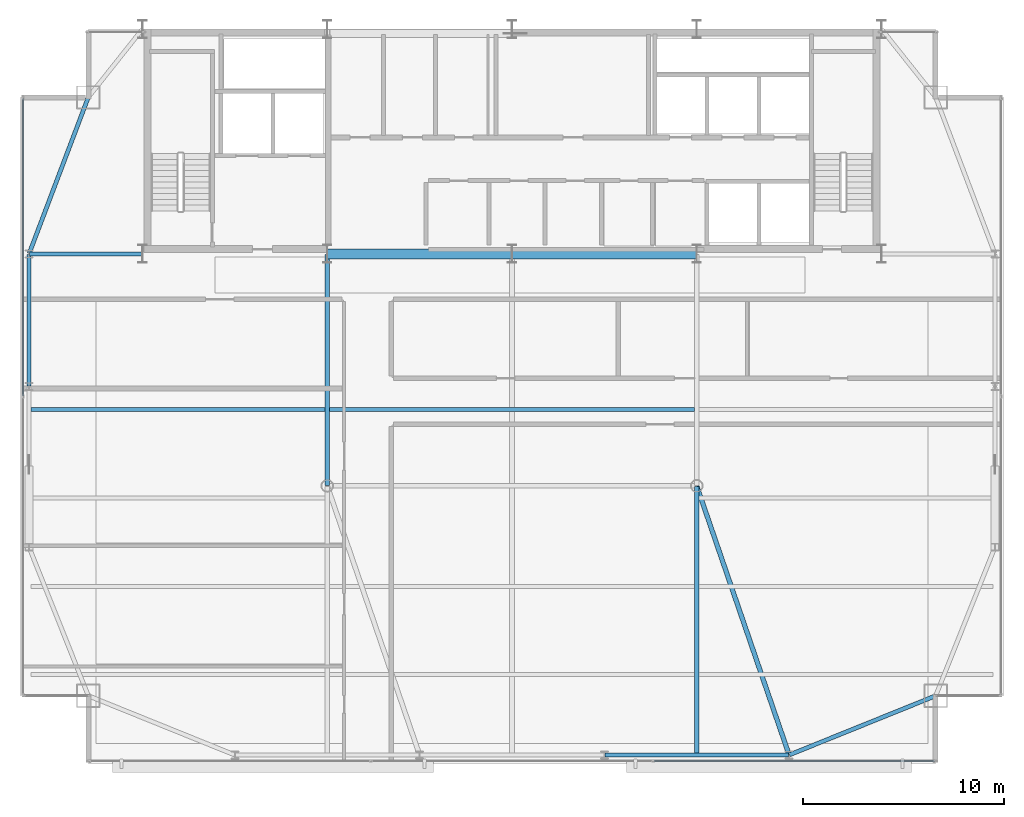
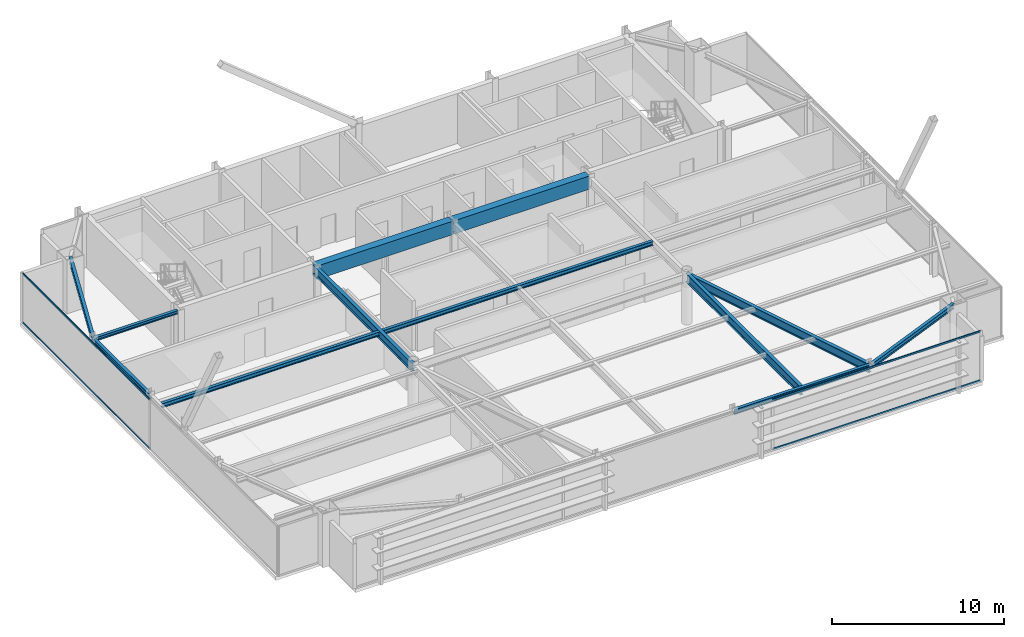
# One storey, part 10 of 26: 12 beams, 4 members, 2 elements without a shape of their own.
"""IFC4 building model written with IfcOpenShell, lengths in metres."""

from ifc_helpers import new_model, si_unit, direction, frame, origin, origin_2d, place, context, subcontext, project, spatial, rectangle, hollow_rectangle, i_section, extrude, source, transform, mapped, material, layer, layer_set, material_profile, profile_set, type_object, type_shapes, element, aggregate, save


model = new_model("IFC4")

# Units and contexts
model_context = context("Model", 3, precision=1e-05, world=origin(), true_north=direction((0.0, 1.0)))
body_context = subcontext(model_context, "Body", "Model", "MODEL_VIEW")
ifc_project = project(units=[si_unit("LENGTHUNIT", "METRE"), si_unit("AREAUNIT", "SQUARE_METRE"), si_unit("VOLUMEUNIT", "CUBIC_METRE"), si_unit("PLANEANGLEUNIT", "RADIAN"), si_unit("MASSUNIT", "GRAM", prefix="KILO")], contexts=[model_context])

# Site, building, storey
site_placement = place(None, origin())
site = spatial("IfcSite", under=ifc_project, at=site_placement, CompositionType="ELEMENT")
building_placement = place(site_placement, origin())
building = spatial("IfcBuilding", under=site, at=building_placement, Name="Varnel Quay Broadcast Tower", CompositionType="ELEMENT")
storey_placement = place(building_placement, frame((0.0, 0.0, 218.800048828125)))
storey = spatial("IfcBuildingStorey", under=building, at=storey_placement, Name="L54", CompositionType="ELEMENT", Elevation=218.800048828125)

# Beams
ifc_material_1 = material(Name="Concrete CSA A23.3 C50/60", Category="concrete")
ifc_material_profile_1 = material_profile(ifc_material_1, rectangle(XDim=0.5, YDim=0.949951171875, at=origin_2d()), Name="RC500X950")
ifc_profile_set_1 = profile_set([ifc_material_profile_1], Name="Concrete CSA A23.3 C50/60")
beam_type_1 = type_object("IfcBeamType", Name="Beam_RC500X950", PredefinedType="BEAM", material=ifc_profile_set_1)
shared_shape_1 = source(origin(), body_context, "Body", "SweptSolid", [
    extrude(rectangle(XDim=0.5, YDim=0.949951171875, at=origin_2d()), origin(), (0.0, 0.0, 1.0), 9.159912109375),
])
type_shapes(beam_type_1, [shared_shape_1])
for number, where, z_axis, x_axis, name in (
    (1, (24.820068359375, 35.60009765625, 3.074951171875), (1.0, 0.0, 0.0), (0.0, 1.0, 0.0), "L54 Core Coupling Beam W"),
    (2, (34.02001953125, 35.60009765625, 3.074951171875), (1.0, 0.0, 0.0), (0.0, 1.0, 0.0), "L54 Core Coupling Beam E"),
):
    element("IfcBeam", number, at=place(storey_placement, frame(where, z_axis=z_axis, x_axis=x_axis)), inside=storey, type_object=beam_type_1, Name=name, PredefinedType="BEAM", context=body_context, shape_type="MappedRepresentation", body=[
        mapped(shared_shape_1, transform((0.0, 0.0, 0.0), x_axis=(1.0, 0.0, 0.0), y_axis=(0.0, 1.0, 0.0), z_axis=(0.0, 0.0, 1.0), scale=1.0)),
    ])
ifc_material_2 = material(Name="Structural Steel CSA G40.21 350W", Category="steel")
ifc_material_profile_2 = material_profile(ifc_material_2, i_section(OverallWidth=0.205078125, OverallDepth=0.35400390625, WebThickness=0.009521484375, FlangeThickness=0.016845703125, FilletRadius=0.012939453125, at=origin_2d()), Name="W360X79")
ifc_profile_set_2 = profile_set([ifc_material_profile_2], Name="Structural Steel CSA G40.21 350W")
beam_type_2 = type_object("IfcBeamType", Name="Beam_W360X79", PredefinedType="SPANDREL", material=ifc_profile_set_2)
shared_shape_2 = source(origin(), body_context, "Body", "SweptSolid", [
    extrude(i_section(OverallWidth=0.205078125, OverallDepth=0.35400390625, WebThickness=0.009521484375, FlangeThickness=0.016845703125, FilletRadius=0.012939453125, at=origin_2d()), origin(), (0.0, 0.0, 1.0), 7.83349609375),
])
beam_1_placement = place(storey_placement, frame((47.818603515625, 10.657470703125, 3.373046875), z_axis=(0.927155449606, 0.374676890489, 0.0), x_axis=(-0.374676890489, 0.927155449606, 0.0)))
element("IfcBeam", 3, at=beam_1_placement, inside=storey, type_object=beam_type_2, Name="L54 South Spandrel TC-S4-MC-SE", PredefinedType="SPANDREL", context=body_context, shape_type="MappedRepresentation", body=[
    mapped(shared_shape_2, transform((0.0, 0.0, 0.0), x_axis=(1.0, 0.0, 0.0), y_axis=(0.0, 1.0, 0.0), z_axis=(0.0, 0.0, 1.0), scale=1.0)),
])
shared_shape_3 = source(origin(), body_context, "Body", "SweptSolid", [
    extrude(i_section(OverallWidth=0.205078125, OverallDepth=0.35400390625, WebThickness=0.009521484375, FlangeThickness=0.016845703125, FilletRadius=0.012939453125, at=origin_2d()), origin(), (0.0, 0.0, 1.0), 9.159912109375),
])
beam_2_placement = place(storey_placement, frame((38.6201171875, 10.64990234375, 3.373046875), z_axis=(1.0, 0.0, 0.0), x_axis=(0.0, 1.0, 0.0)))
element("IfcBeam", 4, at=beam_2_placement, inside=storey, type_object=beam_type_2, Name="L54 South Spandrel TC-S3-TC-S4", PredefinedType="SPANDREL", context=body_context, shape_type="MappedRepresentation", body=[
    mapped(shared_shape_3, transform((0.0, 0.0, 0.0), x_axis=(1.0, 0.0, 0.0), y_axis=(0.0, 1.0, 0.0), z_axis=(0.0, 0.0, 1.0), scale=1.0)),
])
shared_shape_4 = source(origin(), body_context, "Body", "SweptSolid", [
    extrude(i_section(OverallWidth=0.205078125, OverallDepth=0.35400390625, WebThickness=0.009521484375, FlangeThickness=0.016845703125, FilletRadius=0.012939453125, at=origin_2d()), origin(), (0.0, 0.0, 1.0), 6.56005859375),
])
beam_3_placement = place(storey_placement, frame((9.949951171875, 29.02001953125, 3.373046875), z_axis=(0.0, 1.0, 0.0), x_axis=(-1.0, 0.0, 0.0)))
element("IfcBeam", 5, at=beam_3_placement, inside=storey, type_object=beam_type_2, Name="L54 West Spandrel TC-W2-TC-W3", PredefinedType="SPANDREL", context=body_context, shape_type="MappedRepresentation", body=[
    mapped(shared_shape_4, transform((0.0, 0.0, 0.0), x_axis=(1.0, 0.0, 0.0), y_axis=(0.0, 1.0, 0.0), z_axis=(0.0, 0.0, 1.0), scale=1.0)),
])
shared_shape_5 = source(origin(), body_context, "Body", "SweptSolid", [
    extrude(i_section(OverallWidth=0.205078125, OverallDepth=0.35400390625, WebThickness=0.009521484375, FlangeThickness=0.016845703125, FilletRadius=0.012939453125, at=origin_2d()), origin(), (0.0, 0.0, 1.0), 8.29931640625),
])
type_shapes(beam_type_2, [shared_shape_2, shared_shape_3, shared_shape_4, shared_shape_5])
beam_4_placement = place(storey_placement, frame((9.95703125, 35.61865234375, 3.373046875), z_axis=(0.353739782058, 0.935343876117, 0.0), x_axis=(-0.935343876117, 0.353739782058, 0.0)))
element("IfcBeam", 6, at=beam_4_placement, inside=storey, type_object=beam_type_2, Name="L54 West Spandrel TC-W3-MC-NW", PredefinedType="SPANDREL", context=body_context, shape_type="MappedRepresentation", body=[
    mapped(shared_shape_5, transform((0.0, 0.0, 0.0), x_axis=(1.0, 0.0, 0.0), y_axis=(0.0, 1.0, 0.0), z_axis=(0.0, 0.0, 1.0), scale=1.0)),
])
ifc_material_profile_3 = material_profile(ifc_material_2, i_section(OverallWidth=0.22998046875, OverallDepth=0.616943359375, WebThickness=0.01318359375, FlangeThickness=0.022216796875, FilletRadius=0.01611328125, at=origin_2d()), Name="W610X140")
ifc_profile_set_3 = profile_set([ifc_material_profile_3], Name="Structural Steel CSA G40.21 350W")
beam_type_3 = type_object("IfcBeamType", Name="Girder_W610X140", PredefinedType="BEAM", material=ifc_profile_set_3)
shared_shape_6 = source(origin(), body_context, "Body", "SweptSolid", [
    extrude(i_section(OverallWidth=0.22998046875, OverallDepth=0.616943359375, WebThickness=0.01318359375, FlangeThickness=0.022216796875, FilletRadius=0.01611328125, at=origin_2d()), origin(), (0.0, 0.0, 1.0), 14.12744140625),
])
beam_5_placement = place(storey_placement, frame((47.79345703125, 10.6689453125, 3.241455078125), z_axis=(-0.324681288447, 0.945823482967, 0.0), x_axis=(-0.945823482967, -0.324681288447, 0.0)))
element("IfcBeam", 7, at=beam_5_placement, inside=storey, type_object=beam_type_3, Name="L54 Primary Girder TC-S4-IC-02", PredefinedType="BEAM", context=body_context, shape_type="MappedRepresentation", body=[
    mapped(shared_shape_6, transform((0.0, 0.0, 0.0), x_axis=(1.0, 0.0, 0.0), y_axis=(0.0, 1.0, 0.0), z_axis=(0.0, 0.0, 1.0), scale=1.0)),
])
shared_shape_7 = source(origin(), body_context, "Body", "SweptSolid", [
    extrude(i_section(OverallWidth=0.22998046875, OverallDepth=0.616943359375, WebThickness=0.01318359375, FlangeThickness=0.022216796875, FilletRadius=0.01611328125, at=origin_2d()), origin(), (0.0, 0.0, 1.0), 11.510009765625),
])
beam_6_placement = place(storey_placement, frame((24.800048828125, 24.070068359375, 3.241455078125), z_axis=(0.0, 1.0, 0.0), x_axis=(-1.0, 0.0, 0.0)))
element("IfcBeam", 8, at=beam_6_placement, inside=storey, type_object=beam_type_3, Name="L54 Primary Girder IC-01-CC-S2", PredefinedType="BEAM", context=body_context, shape_type="MappedRepresentation", body=[
    mapped(shared_shape_7, transform((0.0, 0.0, 0.0), x_axis=(1.0, 0.0, 0.0), y_axis=(0.0, 1.0, 0.0), z_axis=(0.0, 0.0, 1.0), scale=1.0)),
])
shared_shape_8 = source(origin(), body_context, "Body", "SweptSolid", [
    extrude(i_section(OverallWidth=0.22998046875, OverallDepth=0.616943359375, WebThickness=0.01318359375, FlangeThickness=0.022216796875, FilletRadius=0.01611328125, at=origin_2d()), origin(), (0.0, 0.0, 1.0), 13.360107421875),
])
type_shapes(beam_type_3, [shared_shape_6, shared_shape_7, shared_shape_8])
beam_7_placement = place(storey_placement, frame((43.199951171875, 10.669921875, 3.241455078125), z_axis=(0.0, 1.0, 0.0), x_axis=(-1.0, 0.0, 0.0)))
element("IfcBeam", 9, at=beam_7_placement, inside=storey, type_object=beam_type_3, Name="L54 N-S Joist Header IC-02S", PredefinedType="BEAM", context=body_context, shape_type="MappedRepresentation", body=[
    mapped(shared_shape_8, transform((0.0, 0.0, 0.0), x_axis=(1.0, 0.0, 0.0), y_axis=(0.0, 1.0, 0.0), z_axis=(0.0, 0.0, 1.0), scale=1.0)),
])
ifc_material_profile_4 = material_profile(ifc_material_2, i_section(OverallWidth=0.201904296875, OverallDepth=0.2470703125, WebThickness=0.00732421875, FlangeThickness=0.010986328125, FilletRadius=0.010986328125, at=origin_2d()), Name="W250X49")
ifc_profile_set_4 = profile_set([ifc_material_profile_4], Name="Structural Steel CSA G40.21 350W")
beam_type_4 = type_object("IfcBeamType", Name="Beam_W250X49", PredefinedType="JOIST", material=ifc_profile_set_4)
shared_shape_9 = source(origin(), body_context, "Body", "SweptSolid", [
    extrude(i_section(OverallWidth=0.201904296875, OverallDepth=0.2470703125, WebThickness=0.00732421875, FlangeThickness=0.010986328125, FilletRadius=0.010986328125, at=origin_2d()), origin(), (0.0, 0.0, 1.0), 5.610107421875),
])
type_shapes(beam_type_4, [shared_shape_9])
beam_8_placement = place(storey_placement, frame((9.969970703125, 35.60009765625, 3.426513671875), z_axis=(1.0, 0.0, 0.0), x_axis=(0.0, 1.0, 0.0)))
element("IfcBeam", 10, at=beam_8_placement, inside=storey, type_object=beam_type_4, Name="L54 West Core Tie Joist", PredefinedType="JOIST", context=body_context, shape_type="MappedRepresentation", body=[
    mapped(shared_shape_9, transform((0.0, 0.0, 0.0), x_axis=(1.0, 0.0, 0.0), y_axis=(0.0, 1.0, 0.0), z_axis=(0.0, 0.0, 1.0), scale=1.0)),
])
ifc_material_profile_5 = material_profile(ifc_material_2, i_section(OverallWidth=0.202880859375, OverallDepth=0.302978515625, WebThickness=0.007568359375, FlangeThickness=0.01318359375, FilletRadius=0.011962890625, at=origin_2d()), Name="W310X60")
ifc_profile_set_5 = profile_set([ifc_material_profile_5], Name="Structural Steel CSA G40.21 350W")
beam_type_5 = type_object("IfcBeamType", Name="Beam_W310X60", PredefinedType="JOIST", material=ifc_profile_set_5)
shared_shape_10 = source(origin(), body_context, "Body", "SweptSolid", [
    extrude(i_section(OverallWidth=0.202880859375, OverallDepth=0.302978515625, WebThickness=0.007568359375, FlangeThickness=0.01318359375, FilletRadius=0.011962890625, at=origin_2d()), origin(), (0.0, 0.0, 1.0), 14.642333984375),
])
beam_9_placement = place(storey_placement, frame((10.047607421875, 27.85009765625, 3.3984375), z_axis=(1.0, 0.0, 0.0), x_axis=(0.0, 1.0, 0.0)))
element("IfcBeam", 11, at=beam_9_placement, inside=storey, type_object=beam_type_5, Name="L54 West Floor Joist 4", PredefinedType="JOIST", context=body_context, shape_type="MappedRepresentation", body=[
    mapped(shared_shape_10, transform((0.0, 0.0, 0.0), x_axis=(1.0, 0.0, 0.0), y_axis=(0.0, 1.0, 0.0), z_axis=(0.0, 0.0, 1.0), scale=1.0)),
])
shared_shape_11 = source(origin(), body_context, "Body", "SweptSolid", [
    extrude(i_section(OverallWidth=0.202880859375, OverallDepth=0.302978515625, WebThickness=0.007568359375, FlangeThickness=0.01318359375, FilletRadius=0.011962890625, at=origin_2d()), origin(), (0.0, 0.0, 1.0), 18.18017578125),
])
type_shapes(beam_type_5, [shared_shape_10, shared_shape_11])
beam_10_placement = place(storey_placement, frame((24.909912109375, 27.85009765625, 3.3984375), z_axis=(1.0, 0.0, 0.0), x_axis=(0.0, 1.0, 0.0)))
element("IfcBeam", 12, at=beam_10_placement, inside=storey, type_object=beam_type_5, Name="L54 Central Floor Joist 4", PredefinedType="JOIST", context=body_context, shape_type="MappedRepresentation", body=[
    mapped(shared_shape_11, transform((0.0, 0.0, 0.0), x_axis=(1.0, 0.0, 0.0), y_axis=(0.0, 1.0, 0.0), z_axis=(0.0, 0.0, 1.0), scale=1.0)),
])

# Curtain wall, members
ifc_material_3 = material(Name="Anodised Bronze Aluminium 6063-T6", Category="aluminium")
ifc_layer = layer(ifc_material_3, 0.18994140625, Name="Anodised Bronze Aluminium 6063-T6")
ifc_layer_set = layer_set([ifc_layer], Name="Anodised Bronze Aluminium 6063-T6")
curtain_wall_type = type_object("IfcCurtainWallType", Name="CW_UpperTower", PredefinedType="NOTDEFINED", material=ifc_layer_set)
curtain_wall_1_placement = place(storey_placement, origin())
curtain_wall_1 = element("IfcCurtainWall", 13, at=curtain_wall_1_placement, inside=storey, type_object=curtain_wall_type, Name="L54 West Unitised Curtain Wall", PredefinedType="NOTDEFINED")
ifc_material_profile_6 = material_profile(ifc_material_3, hollow_rectangle(XDim=0.06005859375, YDim=0.125, WallThickness=0.0029296875, at=origin_2d()), Name="ALU60X125X3")
ifc_profile_set_6 = profile_set([ifc_material_profile_6], Name="Anodised Bronze Aluminium 6063-T6")
member_type = type_object("IfcMemberType", Name="Tran_CWS-03", PredefinedType="USERDEFINED", material=ifc_profile_set_6)
shared_shape_12 = source(origin(), body_context, "Body", "SweptSolid", [
    extrude(hollow_rectangle(XDim=0.06005859375, YDim=0.125, WallThickness=0.0029296875, at=origin_2d()), origin(), (0.0, 0.0, 1.0), 14.802490234375),
])
member_1_placement = place(storey_placement, frame((9.64990234375, 28.532470703125, 0.030029296875), z_axis=(0.0, 1.0, 0.0), x_axis=(-1.0, 0.0, 0.0)))
member_1 = element("IfcMember", 14, at=member_1_placement, type_object=member_type, Name="CWS-03 transom 2.1", ObjectType="TRANSOM", PredefinedType="USERDEFINED", context=body_context, shape_type="MappedRepresentation", body=[
    mapped(shared_shape_12, transform((0.0, 0.0, 0.0), x_axis=(1.0, 0.0, 0.0), y_axis=(0.0, 1.0, 0.0), z_axis=(0.0, 0.0, 1.0), scale=1.0)),
])
member_2_placement = place(storey_placement, frame((9.64990234375, 28.532470703125, 3.52001953125), z_axis=(0.0, 1.0, 0.0), x_axis=(-1.0, 0.0, 0.0)))
member_2 = element("IfcMember", 15, at=member_2_placement, type_object=member_type, Name="CWS-03 transom 2.2", ObjectType="TRANSOM", PredefinedType="USERDEFINED", context=body_context, shape_type="MappedRepresentation", body=[
    mapped(shared_shape_12, transform((0.0, 0.0, 0.0), x_axis=(1.0, 0.0, 0.0), y_axis=(0.0, 1.0, 0.0), z_axis=(0.0, 0.0, 1.0), scale=1.0)),
])
aggregate(curtain_wall_1, [member_1, member_2])

curtain_wall_2_placement = place(storey_placement, origin())
curtain_wall_2 = element("IfcCurtainWall", 16, at=curtain_wall_2_placement, inside=storey, type_object=curtain_wall_type, Name="L54 South Unitised Curtain Wall 1", PredefinedType="NOTDEFINED")
shared_shape_13 = source(origin(), body_context, "Body", "SweptSolid", [
    extrude(hollow_rectangle(XDim=0.06005859375, YDim=0.125, WallThickness=0.0029296875, at=origin_2d()), origin(), (0.0, 0.0, 1.0), 13.968994140625),
])
type_shapes(member_type, [shared_shape_12, shared_shape_13])
member_3_placement = place(storey_placement, frame((41.06591796875, 10.35009765625, 0.030029296875), z_axis=(1.0, 0.0, 0.0), x_axis=(0.0, 1.0, 0.0)))
member_3 = element("IfcMember", 17, at=member_3_placement, type_object=member_type, Name="CWS-03 transom 3.1", ObjectType="TRANSOM", PredefinedType="USERDEFINED", context=body_context, shape_type="MappedRepresentation", body=[
    mapped(shared_shape_13, transform((0.0, 0.0, 0.0), x_axis=(1.0, 0.0, 0.0), y_axis=(0.0, 1.0, 0.0), z_axis=(0.0, 0.0, 1.0), scale=1.0)),
])
member_4_placement = place(storey_placement, frame((41.06591796875, 10.35009765625, 3.52001953125), z_axis=(1.0, 0.0, 0.0), x_axis=(0.0, 1.0, 0.0)))
member_4 = element("IfcMember", 18, at=member_4_placement, type_object=member_type, Name="CWS-03 transom 3.2", ObjectType="TRANSOM", PredefinedType="USERDEFINED", context=body_context, shape_type="MappedRepresentation", body=[
    mapped(shared_shape_13, transform((0.0, 0.0, 0.0), x_axis=(1.0, 0.0, 0.0), y_axis=(0.0, 1.0, 0.0), z_axis=(0.0, 0.0, 1.0), scale=1.0)),
])
aggregate(curtain_wall_2, [member_3, member_4])

save(model, "model.ifc")
